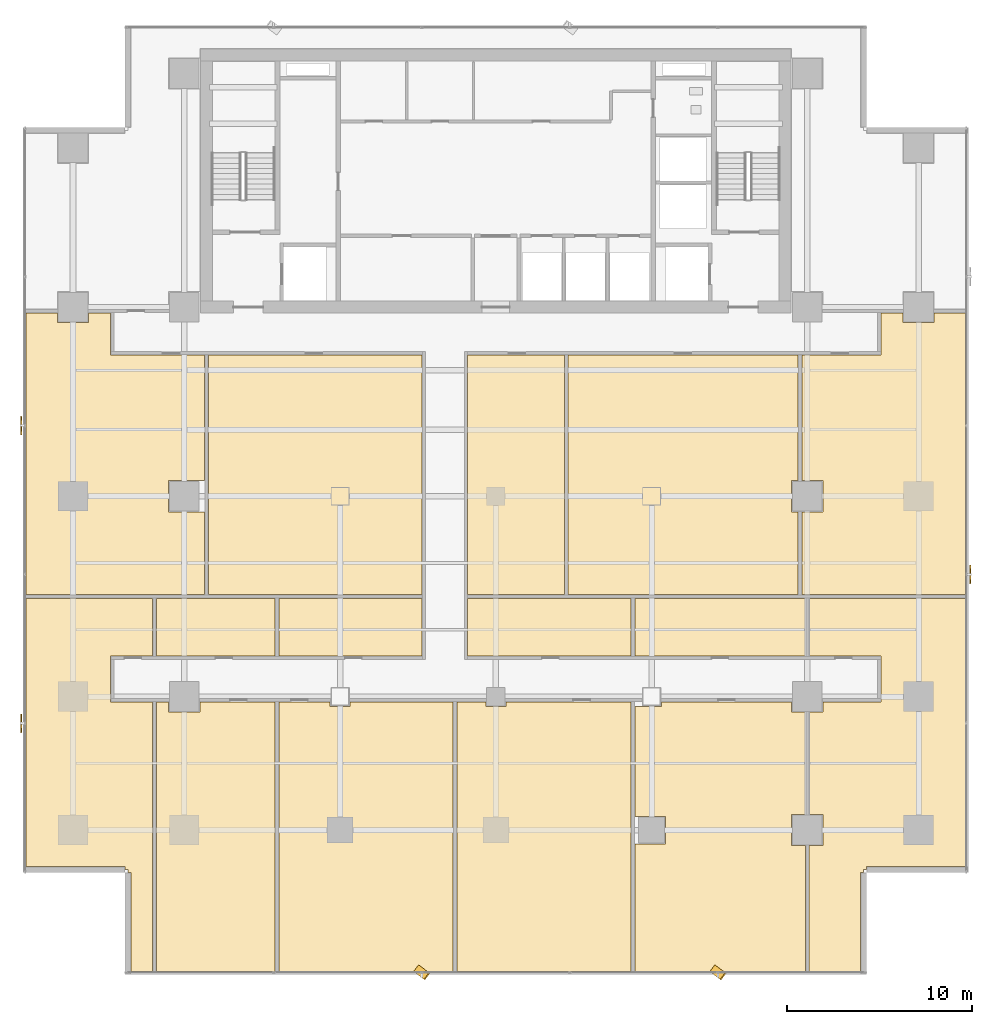
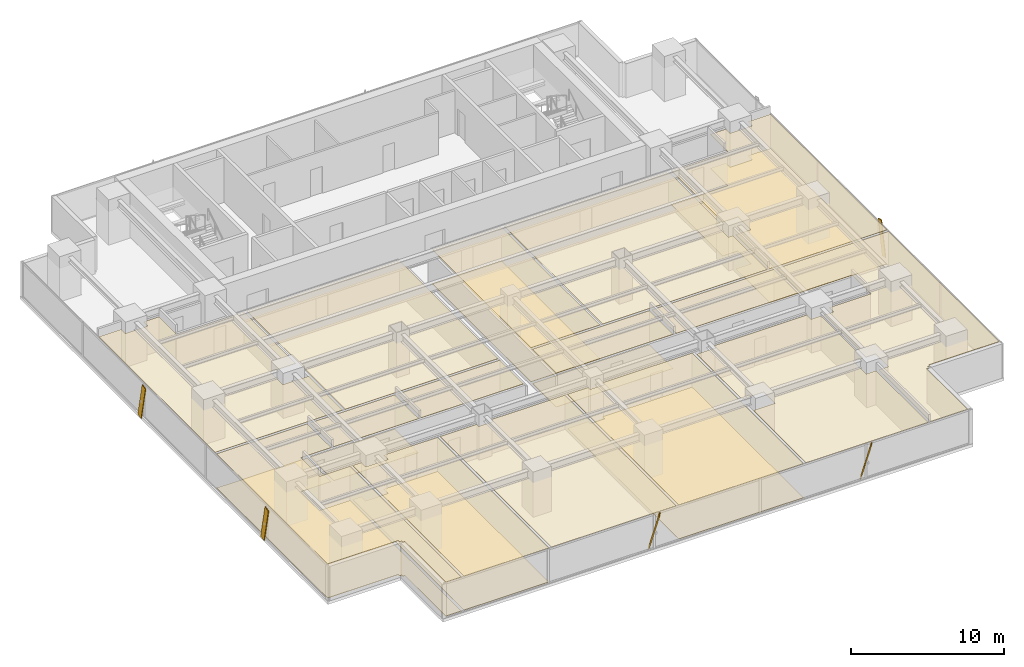
# One storey, part 31 of 35: 22 coverings, 5 shading devices.
"""IFC4 building model written with IfcOpenShell, lengths in metres."""

from ifc_helpers import new_model, si_unit, direction, frame, origin, origin_2d, place, context, subcontext, project, spatial, polyline, rectangle, outline, extrude, source, transform, mapped, material, layer, layer_set, material_profile, profile_set, type_object, element, save


model = new_model("IFC4")

# Units and contexts
model_context = context("Model", 3, precision=1e-05, world=origin(), true_north=direction((0.0, 1.0)))
body_context = subcontext(model_context, "Body", "Model", "MODEL_VIEW")
ifc_project = project(units=[si_unit("LENGTHUNIT", "METRE"), si_unit("AREAUNIT", "SQUARE_METRE"), si_unit("VOLUMEUNIT", "CUBIC_METRE"), si_unit("PLANEANGLEUNIT", "RADIAN"), si_unit("MASSUNIT", "GRAM", prefix="KILO")], contexts=[model_context])

# Site, building, storey
site_placement = place(None, origin())
site = spatial("IfcSite", under=ifc_project, at=site_placement, CompositionType="ELEMENT")
building_placement = place(site_placement, origin())
building = spatial("IfcBuilding", under=site, at=building_placement, Name="Sumidabori Civic Tower", CompositionType="ELEMENT")
storey_placement = place(building_placement, frame((0.0, 0.0, 102.800048828125)))
storey = spatial("IfcBuildingStorey", under=building, at=storey_placement, Name="L26", CompositionType="ELEMENT", Elevation=102.800048828125)

# Coverings
ifc_material_1 = material(Name="Acoustic Mineral Gypsum Ceiling Tile")
ifc_layer_1 = layer(ifc_material_1, 0.034912109375, Name="Acoustic Mineral Gypsum Ceiling Tile")
ifc_layer_set_1 = layer_set([ifc_layer_1], Name="Acoustic Mineral Gypsum Ceiling Tile")
covering_type_1 = type_object("IfcCoveringType", Name="CV-CEIL-AC1", PredefinedType="CEILING", material=ifc_layer_set_1)
covering_1_placement = place(storey_placement, frame((0.0, 0.0, 2.7099609375)))
element("IfcCovering", 1, at=covering_1_placement, inside=storey, type_object=covering_type_1, Name="Room Acoustic Ceiling L26-02", PredefinedType="CEILING", context=body_context, shape_type="SweptSolid", body=[
    extrude(outline(polyline([(-20.784912109375, 7.614990234375), (-15.702392578125, 7.614990234375), (-15.702392578125, 0.840087890625), (-17.639892578125, 0.840087890625), (-17.639892578125, -0.840087890625), (-15.702392578125, -0.840087890625), (-15.702392578125, -5.297607421875), (-25.330078125, -5.297607421875), (-25.330078125, 9.8974609375), (-23.639892578125, 9.8974609375), (-23.639892578125, 9.360107421875), (-21.9599609375, 9.360107421875), (-21.9599609375, 9.8974609375), (-20.784912109375, 9.8974609375), (-20.784912109375, 7.614990234375)])), origin(), (0.0, 0.0, 1.0), 0.034912109375),
])
covering_2_placement = place(storey_placement, frame((0.0, 0.0, 2.7099609375)))
element("IfcCovering", 2, at=covering_2_placement, inside=storey, type_object=covering_type_1, Name="Room Acoustic Ceiling L26-03", PredefinedType="CEILING", context=body_context, shape_type="SweptSolid", body=[
    extrude(outline(polyline([(16.50244140625, -0.840087890625), (17.639892578125, -0.840087890625), (17.639892578125, 0.840087890625), (16.50244140625, 0.840087890625), (16.50244140625, 7.614990234375), (20.784912109375, 7.614990234375), (20.784912109375, 9.8974609375), (21.9599609375, 9.8974609375), (21.9599609375, 9.360107421875), (23.639892578125, 9.360107421875), (23.639892578125, 9.8974609375), (25.330078125, 9.8974609375), (25.330078125, -5.297607421875), (16.50244140625, -5.297607421875), (16.50244140625, -0.840087890625)])), origin(), (0.0, 0.0, 1.0), 0.034912109375),
])
covering_3_placement = place(storey_placement, frame((0.0, 0.0, 2.7099609375)))
element("IfcCovering", 3, at=covering_3_placement, inside=storey, type_object=covering_type_1, Name="Room Acoustic Ceiling L26-04", PredefinedType="CEILING", context=body_context, shape_type="SweptSolid", body=[
    extrude(outline(polyline([(-15.49755859375, 7.614990234375), (-3.985107421875, 7.614990234375), (-3.985107421875, -5.297607421875), (-15.49755859375, -5.297607421875), (-15.49755859375, 7.614990234375)])), origin(), (0.0, 0.0, 1.0), 0.034912109375),
])
covering_4_placement = place(storey_placement, frame((0.0, 0.0, 2.7099609375)))
element("IfcCovering", 4, at=covering_4_placement, inside=storey, type_object=covering_type_1, Name="Room Acoustic Ceiling L26-05", PredefinedType="CEILING", context=body_context, shape_type="SweptSolid", body=[
    extrude(outline(polyline([(-1.514892578125, 7.614990234375), (3.697509765625, 7.614990234375), (3.697509765625, -5.297607421875), (-1.514892578125, -5.297607421875), (-1.514892578125, 7.614990234375)])), origin(), (0.0, 0.0, 1.0), 0.034912109375),
])
covering_5_placement = place(storey_placement, frame((0.0, 0.0, 2.7099609375)))
element("IfcCovering", 5, at=covering_5_placement, inside=storey, type_object=covering_type_1, Name="Room Acoustic Ceiling L26-06", PredefinedType="CEILING", context=body_context, shape_type="SweptSolid", body=[
    extrude(outline(polyline([(3.902587890625, 7.614990234375), (16.297607421875, 7.614990234375), (16.297607421875, 0.840087890625), (15.9599609375, 0.840087890625), (15.9599609375, -0.840087890625), (16.297607421875, -0.840087890625), (16.297607421875, -5.297607421875), (3.902587890625, -5.297607421875), (3.902587890625, 7.614990234375)])), origin(), (0.0, 0.0, 1.0), 0.034912109375),
])
covering_6_placement = place(storey_placement, frame((0.0, 0.0, 2.7099609375)))
element("IfcCovering", 6, at=covering_6_placement, inside=storey, type_object=covering_type_1, Name="Room Acoustic Ceiling L26-07", PredefinedType="CEILING", context=body_context, shape_type="SweptSolid", body=[
    extrude(outline(polyline([(-18.297607421875, -8.614990234375), (-18.297607421875, -5.50244140625), (-11.902587890625, -5.50244140625), (-11.902587890625, -8.614990234375), (-18.297607421875, -8.614990234375)])), origin(), (0.0, 0.0, 1.0), 0.034912109375),
])
covering_7_placement = place(storey_placement, frame((0.0, 0.0, 2.7099609375)))
element("IfcCovering", 7, at=covering_7_placement, inside=storey, type_object=covering_type_1, Name="Room Acoustic Ceiling L26-08", PredefinedType="CEILING", context=body_context, shape_type="SweptSolid", body=[
    extrude(outline(polyline([(-3.985107421875, -8.614990234375), (-11.697509765625, -8.614990234375), (-11.697509765625, -5.50244140625), (-3.985107421875, -5.50244140625), (-3.985107421875, -8.614990234375)])), origin(), (0.0, 0.0, 1.0), 0.034912109375),
])
covering_8_placement = place(storey_placement, frame((0.0, 0.0, 2.7099609375)))
element("IfcCovering", 8, at=covering_8_placement, inside=storey, type_object=covering_type_1, Name="Room Acoustic Ceiling L26-09", PredefinedType="CEILING", context=body_context, shape_type="SweptSolid", body=[
    extrude(outline(polyline([(-1.514892578125, -8.614990234375), (-1.514892578125, -5.50244140625), (7.297607421875, -5.50244140625), (7.297607421875, -8.614990234375), (-1.514892578125, -8.614990234375)])), origin(), (0.0, 0.0, 1.0), 0.034912109375),
])
covering_9_placement = place(storey_placement, frame((0.0, 0.0, 2.7099609375)))
element("IfcCovering", 9, at=covering_9_placement, inside=storey, type_object=covering_type_1, Name="Room Acoustic Ceiling L26-10", PredefinedType="CEILING", context=body_context, shape_type="SweptSolid", body=[
    extrude(outline(polyline([(7.50244140625, -8.614990234375), (7.50244140625, -5.50244140625), (16.697509765625, -5.50244140625), (16.697509765625, -8.614990234375), (7.50244140625, -8.614990234375)])), origin(), (0.0, 0.0, 1.0), 0.034912109375),
])
covering_10_placement = place(storey_placement, frame((0.0, 0.0, 2.7099609375)))
element("IfcCovering", 10, at=covering_10_placement, inside=storey, type_object=covering_type_1, Name="Room Acoustic Ceiling L26-11", PredefinedType="CEILING", context=body_context, shape_type="SweptSolid", body=[
    extrude(outline(polyline([(-25.330078125, -19.971923828125), (-25.330078125, -5.50244140625), (-18.50244140625, -5.50244140625), (-18.50244140625, -8.614990234375), (-20.784912109375, -8.614990234375), (-20.784912109375, -11.0849609375), (-18.50244140625, -11.0849609375), (-18.50244140625, -25.6298828125), (-19.672119140625, -25.6298828125), (-19.672119140625, -20.2919921875), (-19.830078125, -20.2919921875), (-19.830078125, -20.1298828125), (-19.991943359375, -20.1298828125), (-19.991943359375, -19.971923828125), (-25.330078125, -19.971923828125)])), origin(), (0.0, 0.0, 1.0), 0.034912109375),
])
covering_11_placement = place(storey_placement, frame((0.0, 0.0, 2.7099609375)))
element("IfcCovering", 11, at=covering_11_placement, inside=storey, type_object=covering_type_1, Name="Room Acoustic Ceiling L26-12", PredefinedType="CEILING", context=body_context, shape_type="SweptSolid", body=[
    extrude(outline(polyline([(16.902587890625, -18.840087890625), (17.639892578125, -18.840087890625), (17.639892578125, -17.159912109375), (16.902587890625, -17.159912109375), (16.902587890625, -11.639892578125), (17.639892578125, -11.639892578125), (17.639892578125, -11.0849609375), (20.784912109375, -11.0849609375), (20.784912109375, -8.614990234375), (16.902587890625, -8.614990234375), (16.902587890625, -5.50244140625), (25.330078125, -5.50244140625), (25.330078125, -19.971923828125), (19.991943359375, -19.971923828125), (19.991943359375, -20.1298828125), (19.830078125, -20.1298828125), (19.830078125, -20.2919921875), (19.672119140625, -20.2919921875), (19.672119140625, -25.6298828125), (16.902587890625, -25.6298828125), (16.902587890625, -18.840087890625)])), origin(), (0.0, 0.0, 1.0), 0.034912109375),
])
covering_12_placement = place(storey_placement, frame((0.0, 0.0, 2.7099609375)))
element("IfcCovering", 12, at=covering_12_placement, inside=storey, type_object=covering_type_1, Name="Room Acoustic Ceiling L26-13", PredefinedType="CEILING", context=body_context, shape_type="SweptSolid", body=[
    extrude(outline(polyline([(-18.297607421875, -11.0849609375), (-17.639892578125, -11.0849609375), (-17.639892578125, -11.639892578125), (-15.9599609375, -11.639892578125), (-15.9599609375, -11.0849609375), (-11.902587890625, -11.0849609375), (-11.902587890625, -25.6298828125), (-18.297607421875, -25.6298828125), (-18.297607421875, -11.0849609375)])), origin(), (0.0, 0.0, 1.0), 0.034912109375),
])
covering_13_placement = place(storey_placement, frame((0.0, 0.0, 2.7099609375)))
element("IfcCovering", 13, at=covering_13_placement, inside=storey, type_object=covering_type_1, Name="Room Acoustic Ceiling L26-14", PredefinedType="CEILING", context=body_context, shape_type="SweptSolid", body=[
    extrude(outline(polyline([(-11.697509765625, -11.0849609375), (-8.93994140625, -11.0849609375), (-8.93994140625, -11.340087890625), (-7.860107421875, -11.340087890625), (-7.860107421875, -11.0849609375), (-2.302490234375, -11.0849609375), (-2.302490234375, -25.6298828125), (-11.697509765625, -25.6298828125), (-11.697509765625, -11.0849609375)])), origin(), (0.0, 0.0, 1.0), 0.034912109375),
])
covering_14_placement = place(storey_placement, frame((0.0, 0.0, 2.7099609375)))
element("IfcCovering", 14, at=covering_14_placement, inside=storey, type_object=covering_type_1, Name="Room Acoustic Ceiling L26-15", PredefinedType="CEILING", context=body_context, shape_type="SweptSolid", body=[
    extrude(outline(polyline([(-2.097412109375, -11.0849609375), (-0.5400390625, -11.0849609375), (-0.5400390625, -11.340087890625), (0.5400390625, -11.340087890625), (0.5400390625, -11.0849609375), (7.297607421875, -11.0849609375), (7.297607421875, -25.6298828125), (-2.097412109375, -25.6298828125), (-2.097412109375, -11.0849609375)])), origin(), (0.0, 0.0, 1.0), 0.034912109375),
])
covering_15_placement = place(storey_placement, frame((0.0, 0.0, 2.7099609375)))
element("IfcCovering", 15, at=covering_15_placement, inside=storey, type_object=covering_type_1, Name="Room Acoustic Ceiling L26-16", PredefinedType="CEILING", context=body_context, shape_type="SweptSolid", body=[
    extrude(outline(polyline([(7.50244140625, -18.739990234375), (9.139892578125, -18.739990234375), (9.139892578125, -17.260009765625), (7.50244140625, -17.260009765625), (7.50244140625, -11.340087890625), (8.93994140625, -11.340087890625), (8.93994140625, -11.0849609375), (15.9599609375, -11.0849609375), (15.9599609375, -11.639892578125), (16.697509765625, -11.639892578125), (16.697509765625, -17.159912109375), (15.9599609375, -17.159912109375), (15.9599609375, -18.840087890625), (16.697509765625, -18.840087890625), (16.697509765625, -25.6298828125), (7.50244140625, -25.6298828125), (7.50244140625, -18.739990234375)])), origin(), (0.0, 0.0, 1.0), 0.034912109375),
])
ifc_material_2 = material(Name="Honed Terrazzo Tile Flooring")
ifc_layer_2 = layer(ifc_material_2, 0.030029296875, Name="Honed Terrazzo Tile Flooring")
ifc_layer_set_2 = layer_set([ifc_layer_2], Name="Honed Terrazzo Tile Flooring")
covering_type_2 = type_object("IfcCoveringType", Name="CV-FLR-TER", PredefinedType="FLOORING", material=ifc_layer_set_2)
covering_16_placement = place(storey_placement, origin())
element("IfcCovering", 16, at=covering_16_placement, inside=storey, type_object=covering_type_2, Name="Room Terrazzo Floor L26-03", PredefinedType="FLOORING", context=body_context, shape_type="SweptSolid", body=[
    extrude(outline(polyline([(16.50244140625, -0.840087890625), (17.639892578125, -0.840087890625), (17.639892578125, 0.840087890625), (16.50244140625, 0.840087890625), (16.50244140625, 7.614990234375), (20.784912109375, 7.614990234375), (20.784912109375, 9.8974609375), (21.9599609375, 9.8974609375), (21.9599609375, 9.360107421875), (23.639892578125, 9.360107421875), (23.639892578125, 9.8974609375), (25.330078125, 9.8974609375), (25.330078125, -5.297607421875), (16.50244140625, -5.297607421875), (16.50244140625, -0.840087890625)])), origin(), (0.0, 0.0, 1.0), 0.030029296875),
])
covering_17_placement = place(storey_placement, origin())
element("IfcCovering", 17, at=covering_17_placement, inside=storey, type_object=covering_type_2, Name="Room Terrazzo Floor L26-05", PredefinedType="FLOORING", context=body_context, shape_type="SweptSolid", body=[
    extrude(outline(polyline([(-1.514892578125, 7.614990234375), (3.697509765625, 7.614990234375), (3.697509765625, -5.297607421875), (-1.514892578125, -5.297607421875), (-1.514892578125, 7.614990234375)])), origin(), (0.0, 0.0, 1.0), 0.030029296875),
])
covering_18_placement = place(storey_placement, origin())
element("IfcCovering", 18, at=covering_18_placement, inside=storey, type_object=covering_type_2, Name="Room Terrazzo Floor L26-07", PredefinedType="FLOORING", context=body_context, shape_type="SweptSolid", body=[
    extrude(outline(polyline([(-18.297607421875, -8.614990234375), (-18.297607421875, -5.50244140625), (-11.902587890625, -5.50244140625), (-11.902587890625, -8.614990234375), (-18.297607421875, -8.614990234375)])), origin(), (0.0, 0.0, 1.0), 0.030029296875),
])
covering_19_placement = place(storey_placement, origin())
element("IfcCovering", 19, at=covering_19_placement, inside=storey, type_object=covering_type_2, Name="Room Terrazzo Floor L26-09", PredefinedType="FLOORING", context=body_context, shape_type="SweptSolid", body=[
    extrude(outline(polyline([(-1.514892578125, -8.614990234375), (-1.514892578125, -5.50244140625), (7.297607421875, -5.50244140625), (7.297607421875, -8.614990234375), (-1.514892578125, -8.614990234375)])), origin(), (0.0, 0.0, 1.0), 0.030029296875),
])
covering_20_placement = place(storey_placement, origin())
element("IfcCovering", 20, at=covering_20_placement, inside=storey, type_object=covering_type_2, Name="Room Terrazzo Floor L26-11", PredefinedType="FLOORING", context=body_context, shape_type="SweptSolid", body=[
    extrude(outline(polyline([(-25.330078125, -19.971923828125), (-25.330078125, -5.50244140625), (-18.50244140625, -5.50244140625), (-18.50244140625, -8.614990234375), (-20.784912109375, -8.614990234375), (-20.784912109375, -11.0849609375), (-18.50244140625, -11.0849609375), (-18.50244140625, -25.6298828125), (-19.672119140625, -25.6298828125), (-19.672119140625, -20.2919921875), (-19.830078125, -20.2919921875), (-19.830078125, -20.1298828125), (-19.991943359375, -20.1298828125), (-19.991943359375, -19.971923828125), (-25.330078125, -19.971923828125)])), origin(), (0.0, 0.0, 1.0), 0.030029296875),
])
covering_21_placement = place(storey_placement, origin())
element("IfcCovering", 21, at=covering_21_placement, inside=storey, type_object=covering_type_2, Name="Room Terrazzo Floor L26-13", PredefinedType="FLOORING", context=body_context, shape_type="SweptSolid", body=[
    extrude(outline(polyline([(-18.297607421875, -11.0849609375), (-17.639892578125, -11.0849609375), (-17.639892578125, -11.639892578125), (-15.9599609375, -11.639892578125), (-15.9599609375, -11.0849609375), (-11.902587890625, -11.0849609375), (-11.902587890625, -25.6298828125), (-18.297607421875, -25.6298828125), (-18.297607421875, -11.0849609375)])), origin(), (0.0, 0.0, 1.0), 0.030029296875),
])
covering_22_placement = place(storey_placement, origin())
element("IfcCovering", 22, at=covering_22_placement, inside=storey, type_object=covering_type_2, Name="Room Terrazzo Floor L26-15", PredefinedType="FLOORING", context=body_context, shape_type="SweptSolid", body=[
    extrude(outline(polyline([(-2.097412109375, -11.0849609375), (-0.5400390625, -11.0849609375), (-0.5400390625, -11.340087890625), (0.5400390625, -11.340087890625), (0.5400390625, -11.0849609375), (7.297607421875, -11.0849609375), (7.297607421875, -25.6298828125), (-2.097412109375, -25.6298828125), (-2.097412109375, -11.0849609375)])), origin(), (0.0, 0.0, 1.0), 0.030029296875),
])

# Shading devices
ifc_material_3 = material(Name="Anodised Bronze Aluminium AW-6063-T6", Category="aluminium")
ifc_material_profile = material_profile(ifc_material_3, rectangle(XDim=0.06005859375, YDim=0.449951171875, at=origin_2d()), Name="BRONZE FIN 450x60")
ifc_profile_set = profile_set([ifc_material_profile], Name="Anodised Bronze Aluminium AW-6063-T6")
shading_device_type = type_object("IfcShadingDeviceType", Name="SH-FIN-450", PredefinedType="USERDEFINED", material=ifc_profile_set)
shared_shape_1 = source(origin(), body_context, "Body", "SweptSolid", [
    extrude(rectangle(XDim=0.06005859375, YDim=0.449951171875, at=origin_2d()), origin(), (0.0, 0.0, 1.0), 2.769775390625),
])
for number, where, z_axis, x_axis, name in (
    (23, (-4.27392578125, -25.469970703125, 0.02001953125), (0.202114092991, -0.151607605732, 0.967556214025), (0.774004463215, -0.580587735163, -0.252655838447), "Bronze Anodised Diagonal Fin L26-02"),
    (24, (11.701904296875, -25.469970703125, 0.02001953125), (0.202198633998, -0.151604904305, 0.967538973582), (0.774112159528, -0.58041539424, -0.252721852241), "Bronze Anodised Diagonal Fin L26-04"),
):
    element("IfcShadingDevice", number, at=place(storey_placement, frame(where, z_axis=z_axis, x_axis=x_axis)), inside=storey, type_object=shading_device_type, Name=name, ObjectType="FIN", PredefinedType="USERDEFINED", context=body_context, shape_type="MappedRepresentation", body=[
        mapped(shared_shape_1, transform((0.0, 0.0, 0.0), x_axis=(1.0, 0.0, 0.0), y_axis=(0.0, 1.0, 0.0), z_axis=(0.0, 0.0, 1.0), scale=1.0)),
    ])
shared_shape_2 = source(origin(), body_context, "Body", "SweptSolid", [
    extrude(rectangle(XDim=0.06005859375, YDim=0.449951171875, at=origin_2d()), origin(), (0.0, 0.0, 1.0), 2.73779296875),
])
for number, where, z_axis, x_axis, name in (
    (25, (25.590087890625, -4.493896484375, 0.02001953125), (0.0, 0.204477700022, 0.978871222477), (-1.0, 0.0, 0.0), "Bronze Anodised Diagonal Fin L26-02"),
    (26, (-25.590087890625, 4.093994140625, 0.02001953125), (0.0, -0.204563143937, 0.978853370093), (-1.0, 0.0, 0.0), "Bronze Anodised Diagonal Fin L26-02"),
    (27, (-25.590087890625, -11.9619140625, 0.02001953125), (0.0, -0.204563143937, 0.978853370093), (-1.0, 0.0, 0.0), "Bronze Anodised Diagonal Fin L26-04"),
):
    element("IfcShadingDevice", number, at=place(storey_placement, frame(where, z_axis=z_axis, x_axis=x_axis)), inside=storey, type_object=shading_device_type, Name=name, ObjectType="FIN", PredefinedType="USERDEFINED", context=body_context, shape_type="MappedRepresentation", body=[
        mapped(shared_shape_2, transform((0.0, 0.0, 0.0), x_axis=(1.0, 0.0, 0.0), y_axis=(0.0, 1.0, 0.0), z_axis=(0.0, 0.0, 1.0), scale=1.0)),
    ])

save(model, "model.ifc")
